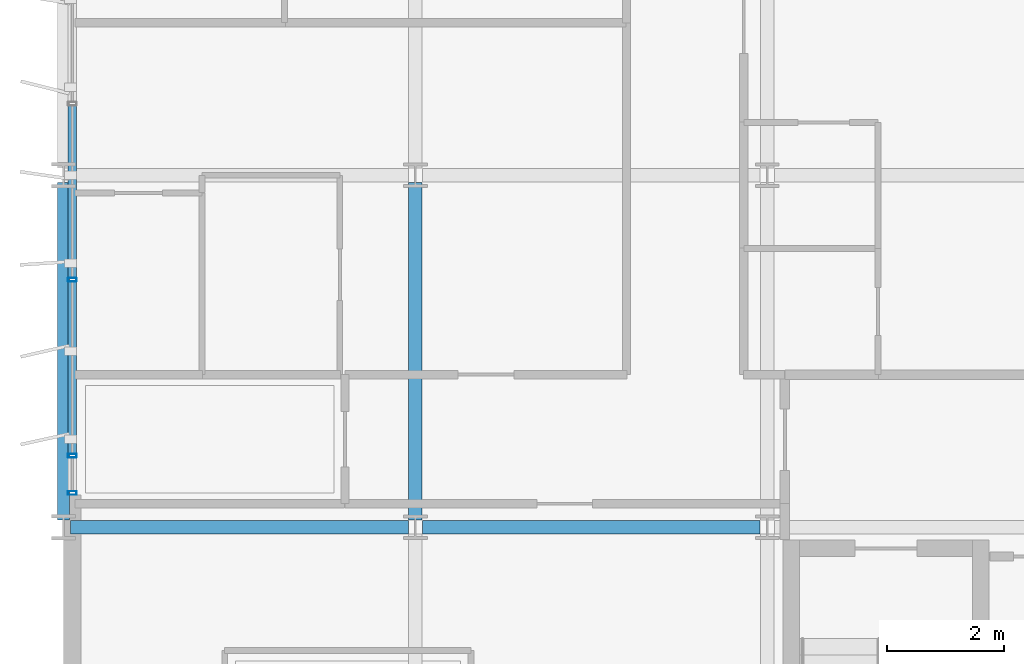
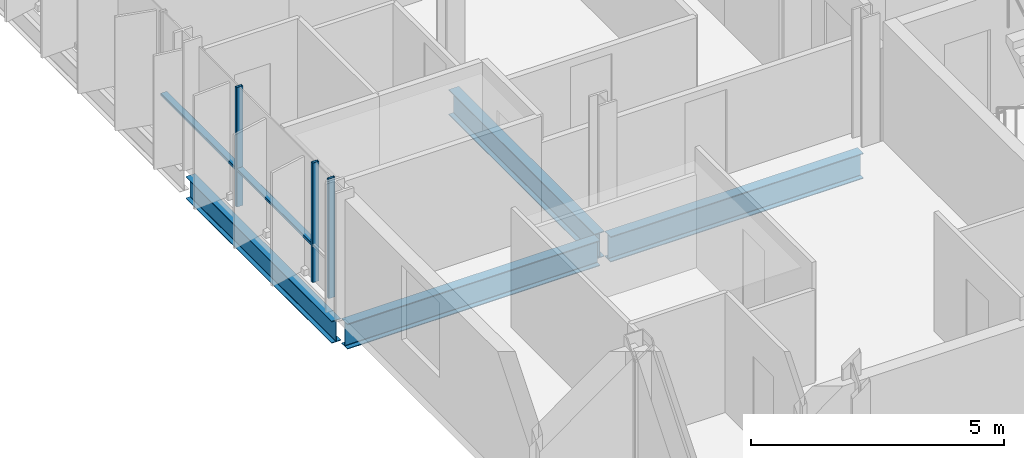
# One storey, part 2 of 39: 5 members, 4 beams, 1 element without a shape of its own.
"""IFC4 building model written with IfcOpenShell, lengths in metres."""

from ifc_helpers import new_model, si_unit, direction, frame, origin, origin_2d, place, context, subcontext, project, spatial, hollow_rectangle, i_section, extrude, material, layer, layer_set, material_profile, profile_set, type_object, element, aggregate, save


model = new_model("IFC4")

# Units and contexts
model_context = context("Model", 3, precision=1e-05, world=origin(), true_north=direction((0.0, 1.0)))
body_context = subcontext(model_context, "Body", "Model", "MODEL_VIEW")
ifc_project = project(units=[si_unit("LENGTHUNIT", "METRE"), si_unit("AREAUNIT", "SQUARE_METRE"), si_unit("VOLUMEUNIT", "CUBIC_METRE"), si_unit("PLANEANGLEUNIT", "RADIAN"), si_unit("MASSUNIT", "GRAM", prefix="KILO")], contexts=[model_context])

# Site, building, storey
site_placement = place(None, origin())
site = spatial("IfcSite", under=ifc_project, at=site_placement, CompositionType="ELEMENT")
building_placement = place(site_placement, origin())
building = spatial("IfcBuilding", under=site, at=building_placement, Name="Brevholm Reach", CompositionType="ELEMENT")
storey_placement = place(building_placement, frame((0.0, 0.0, 103.5)))
storey = spatial("IfcBuildingStorey", under=building, at=storey_placement, Name="L30", CompositionType="ELEMENT", Elevation=103.5)

# Beams
ifc_material_1 = material(Name="Structural Steel S355J2", Category="steel")
ifc_material_profile_1 = material_profile(ifc_material_1, i_section(OverallWidth=0.209228515625, OverallDepth=0.533203125, WebThickness=0.010009765625, FlangeThickness=0.015625, FilletRadius=0.0126953125, at=origin_2d()), Name="UKB 533x210x92")
ifc_profile_set_1 = profile_set([ifc_material_profile_1], Name="Structural Steel S355J2")
beam_type_1 = type_object("IfcBeamType", Name="BM-SP533", PredefinedType="SPANDREL", material=ifc_profile_set_1)
beam_placement = place(storey_placement, frame((0.0, 10.1201171875, -0.486572265625), z_axis=(0.0, 1.0, 0.0), x_axis=(-1.0, 0.0, 0.0)))
element("IfcBeam", 1, at=beam_placement, inside=storey, type_object=beam_type_1, Name="L30 SP-02 Framing Beam", PredefinedType="SPANDREL", context=body_context, shape_type="SweptSolid", body=[
    extrude(i_section(OverallWidth=0.209228515625, OverallDepth=0.533203125, WebThickness=0.010009765625, FlangeThickness=0.015625, FilletRadius=0.0126953125, at=origin_2d()), origin(), (0.0, 0.0, 1.0), 5.759765625),
])
ifc_material_2 = material(Name="Structural Steel S355J2", Category="steel")
ifc_material_profile_2 = material_profile(ifc_material_2, i_section(OverallWidth=0.22900390625, OverallDepth=0.6123046875, WebThickness=0.011962890625, FlangeThickness=0.01953125, FilletRadius=0.0126953125, at=origin_2d()), Name="UKB 610x229x125")
ifc_profile_set_2 = profile_set([ifc_material_profile_2], Name="Structural Steel S355J2")
beam_type_2 = type_object("IfcBeamType", Name="BM-SP610", PredefinedType="SPANDREL", material=ifc_profile_set_2)
for number, where, z_axis, x_axis, name in (
    (2, (0.1201171875, 10.0, -0.526123046875), (1.0, 0.0, 0.0), (0.0, 1.0, 0.0), "L30 SP-01 Framing Beam"),
    (3, (6.1201171875, 10.0, -0.526123046875), (1.0, 0.0, 0.0), (0.0, 1.0, 0.0), "L30 SP-01 Framing Beam"),
    (4, (6.0, 10.1201171875, -0.526123046875), (0.0, 1.0, 0.0), (-1.0, 0.0, 0.0), "L30 SP-01 Framing Beam"),
):
    element("IfcBeam", number, at=place(storey_placement, frame(where, z_axis=z_axis, x_axis=x_axis)), inside=storey, type_object=beam_type_2, Name=name, PredefinedType="SPANDREL", context=body_context, shape_type="SweptSolid", body=[
        extrude(i_section(OverallWidth=0.22900390625, OverallDepth=0.6123046875, WebThickness=0.011962890625, FlangeThickness=0.01953125, FilletRadius=0.0126953125, at=origin_2d()), origin(), (0.0, 0.0, 1.0), 5.759765625),
    ])

# Curtain wall, members
ifc_material_3 = material(Name="Dark Anodised Aluminium 6063-T6 and Solar-Control Glass", Category="aluminium")
ifc_layer = layer(ifc_material_3, 0.14990234375)
ifc_layer_set = layer_set([ifc_layer], Name="Dark Anodised Aluminium 6063-T6 and Solar-Control Glass")
curtain_wall_type = type_object("IfcCurtainWallType", Name="CW-01", PredefinedType="NOTDEFINED", material=ifc_layer_set)
curtain_wall_placement = place(storey_placement, origin())
curtain_wall = element("IfcCurtainWall", 5, at=curtain_wall_placement, inside=storey, type_object=curtain_wall_type, Name="L30 Curtain Wall CW-01", PredefinedType="NOTDEFINED")
ifc_material_4 = material(Name="Dark Anodised Aluminium 6063-T6", Category="aluminium")
ifc_material_profile_3 = material_profile(ifc_material_4, hollow_rectangle(XDim=0.06494140625, YDim=0.14990234375, WallThickness=0.0048828125, InnerFilletRadius=0.0048828125, OuterFilletRadius=0.010009765625, at=origin_2d()), Name="RHS 150x65x5")
ifc_profile_set_3 = profile_set([ifc_material_profile_3], Name="Dark Anodised Aluminium 6063-T6")
member_type_1 = type_object("IfcMemberType", Name="CWM-150", PredefinedType="MULLION", material=ifc_profile_set_3)
member_1_placement = place(storey_placement, frame((0.14990234375, 14.219970703125, 0.0), z_axis=(0.0, 0.0, 1.0), x_axis=(0.0, -1.0, 0.0)))
member_1 = element("IfcMember", 6, at=member_1_placement, type_object=member_type_1, Name="CM-150 Mullion 4", PredefinedType="MULLION", context=body_context, shape_type="SweptSolid", body=[
    extrude(hollow_rectangle(XDim=0.06494140625, YDim=0.14990234375, WallThickness=0.0048828125, InnerFilletRadius=0.0048828125, OuterFilletRadius=0.010009765625, at=origin_2d()), origin(), (0.0, 0.0, 1.0), 2.8798828125),
])
member_2_placement = place(storey_placement, frame((0.14990234375, 11.219970703125, 0.0), z_axis=(0.0, 0.0, 1.0), x_axis=(0.0, -1.0, 0.0)))
member_2 = element("IfcMember", 7, at=member_2_placement, type_object=member_type_1, Name="CM-150 Mullion 5", PredefinedType="MULLION", context=body_context, shape_type="SweptSolid", body=[
    extrude(hollow_rectangle(XDim=0.06494140625, YDim=0.14990234375, WallThickness=0.0048828125, InnerFilletRadius=0.0048828125, OuterFilletRadius=0.010009765625, at=origin_2d()), origin(), (0.0, 0.0, 1.0), 2.8798828125),
])
member_3_placement = place(storey_placement, frame((0.14990234375, 10.58251953125, 0.0), z_axis=(0.0, 0.0, 1.0), x_axis=(0.0, -1.0, 0.0)))
member_3 = element("IfcMember", 8, at=member_3_placement, type_object=member_type_1, Name="CM-150 Mullion 6", PredefinedType="MULLION", context=body_context, shape_type="SweptSolid", body=[
    extrude(hollow_rectangle(XDim=0.06494140625, YDim=0.14990234375, WallThickness=0.0048828125, InnerFilletRadius=0.0048828125, OuterFilletRadius=0.010009765625, at=origin_2d()), origin(), (0.0, 0.0, 1.0), 2.8798828125),
])
ifc_material_5 = material(Name="Dark Anodised Aluminium 6063-T6", Category="aluminium")
ifc_material_profile_4 = material_profile(ifc_material_5, hollow_rectangle(XDim=0.06494140625, YDim=0.14990234375, WallThickness=0.0048828125, InnerFilletRadius=0.0048828125, OuterFilletRadius=0.010009765625, at=origin_2d()), Name="RHS 150x65x5")
ifc_profile_set_4 = profile_set([ifc_material_profile_4], Name="Dark Anodised Aluminium 6063-T6")
member_type_2 = type_object("IfcMemberType", Name="CWT-150", PredefinedType="NOTDEFINED", material=ifc_profile_set_4)
member_4_placement = place(storey_placement, frame((0.14990234375, 17.1875, 0.89990234375), z_axis=(0.0, -1.0, 0.0), x_axis=(0.0, 0.0, 1.0)))
member_4 = element("IfcMember", 9, at=member_4_placement, type_object=member_type_2, Name="CT-150 Transom 3.1", ObjectType="TRANSOM", PredefinedType="USERDEFINED", context=body_context, shape_type="SweptSolid", body=[
    extrude(hollow_rectangle(XDim=0.06494140625, YDim=0.14990234375, WallThickness=0.0048828125, InnerFilletRadius=0.0048828125, OuterFilletRadius=0.010009765625, at=origin_2d()), origin(), (0.0, 0.0, 1.0), 2.93505859375),
])
member_5_placement = place(storey_placement, frame((0.14990234375, 14.1875, 0.89990234375), z_axis=(0.0, -1.0, 0.0), x_axis=(0.0, 0.0, 1.0)))
member_5 = element("IfcMember", 10, at=member_5_placement, type_object=member_type_2, Name="CT-150 Transom 4.1", ObjectType="TRANSOM", PredefinedType="USERDEFINED", context=body_context, shape_type="SweptSolid", body=[
    extrude(hollow_rectangle(XDim=0.06494140625, YDim=0.14990234375, WallThickness=0.0048828125, InnerFilletRadius=0.0048828125, OuterFilletRadius=0.010009765625, at=origin_2d()), origin(), (0.0, 0.0, 1.0), 2.93505859375),
])
aggregate(curtain_wall, [member_1, member_2, member_3, member_4, member_5])

save(model, "model.ifc")
